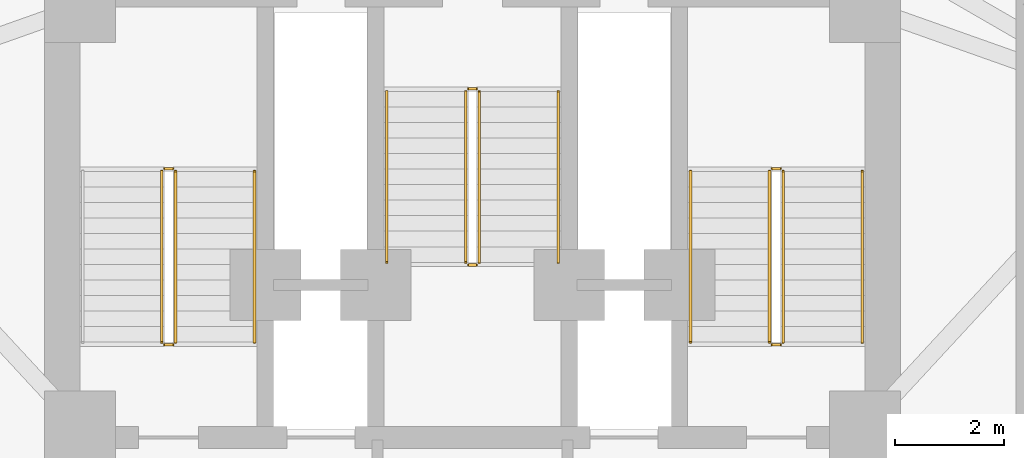
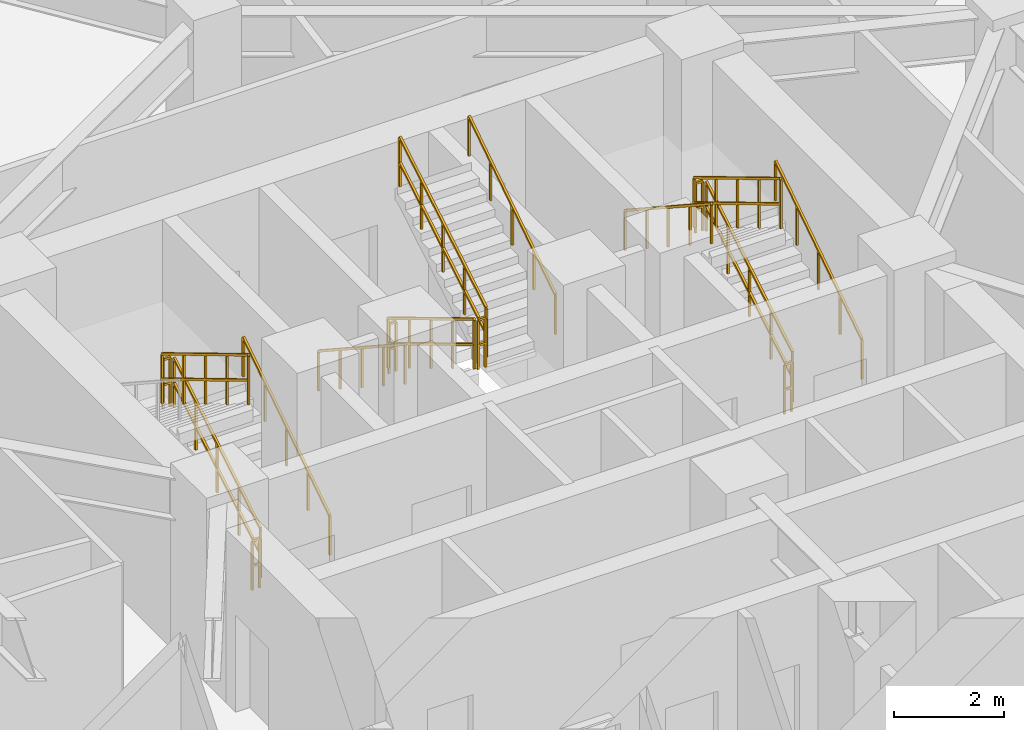
# One storey, part 9 of 10: 17 railings.
"""IFC4 building model written with IfcOpenShell, lengths in metres."""

from ifc_helpers import new_model, si_unit, direction, frame, origin, origin_2d, place, context, subcontext, project, spatial, rectangle, extrude, material, type_object, element, save


model = new_model("IFC4")

# Units and contexts
model_context = context("Model", 3, precision=1e-05, world=origin(), true_north=direction((0.0, 1.0)))
body_context = subcontext(model_context, "Body", "Model", "MODEL_VIEW")
ifc_project = project(units=[si_unit("LENGTHUNIT", "METRE"), si_unit("AREAUNIT", "SQUARE_METRE"), si_unit("VOLUMEUNIT", "CUBIC_METRE"), si_unit("PLANEANGLEUNIT", "RADIAN"), si_unit("MASSUNIT", "GRAM", prefix="KILO")], contexts=[model_context])

# Site, building, storey
site_placement = place(None, origin())
site = spatial("IfcSite", under=ifc_project, at=site_placement, CompositionType="ELEMENT")
building_placement = place(site_placement, origin())
building = spatial("IfcBuilding", under=site, at=building_placement, Name="Apsidion Concourse Tower", CompositionType="ELEMENT")
storey_placement = place(building_placement, frame((0.0, 0.0, 177.800048828125)))
storey = spatial("IfcBuildingStorey", under=building, at=storey_placement, Name="L41", CompositionType="ELEMENT", Elevation=177.800048828125)

# Railings
ifc_material = material(Name="Brushed stainless steel 316", Category="steel")
railing_type_1 = type_object("IfcRailingType", Name="RL-GUARD-1100", PredefinedType="GUARDRAIL", material=ifc_material)
railing_1_placement = place(storey_placement, frame((-5.449951171875, 3.0, 0.1708984375)))
element("IfcRailing", 1, at=railing_1_placement, inside=storey, type_object=railing_type_1, Name="L41 ST1 stair guard 1", PredefinedType="GUARDRAIL", context=body_context, shape_type="SweptSolid", body=[
    extrude(rectangle(XDim=0.048095703125, YDim=0.048095703125, at=origin_2d()), frame((0.0, 0.0, 1.09619140625), z_axis=(0.0, 0.857716804754, 0.514122439544), x_axis=(-1.0, 0.0, 0.0)), (0.0, 0.0, 1.0), 3.655029296875),
    extrude(rectangle(XDim=0.048095703125, YDim=0.048095703125, at=origin_2d()), frame((0.0, 0.0, 0.5361328125), z_axis=(0.0, 0.857716804754, 0.514122439544), x_axis=(-1.0, 0.0, 0.0)), (0.0, 0.0, 1.0), 3.655029296875),
    extrude(rectangle(XDim=0.0419921875, YDim=0.0419921875, at=origin_2d()), origin(), (0.0, 0.0, 1.0), 1.072021484375),
    extrude(rectangle(XDim=0.0419921875, YDim=0.0419921875, at=origin_2d()), frame((0.0, 0.78369140625, 0.4697265625)), (0.0, 0.0, 1.0), 1.072021484375),
    extrude(rectangle(XDim=0.0419921875, YDim=0.0419921875, at=origin_2d()), frame((0.0, 1.5673828125, 0.939453125)), (0.0, 0.0, 1.0), 1.072021484375),
    extrude(rectangle(XDim=0.0419921875, YDim=0.0419921875, at=origin_2d()), frame((0.0, 2.351318359375, 1.409423828125)), (0.0, 0.0, 1.0), 1.072021484375),
    extrude(rectangle(XDim=0.0419921875, YDim=0.0419921875, at=origin_2d()), frame((0.0, 3.135009765625, 1.879150390625)), (0.0, 0.0, 1.0), 1.072021484375),
])
railing_2_placement = place(storey_placement, frame((-5.5, 6.18505859375, 2.050048828125)))
element("IfcRailing", 2, at=railing_2_placement, inside=storey, type_object=railing_type_1, Name="L41 ST1 stair guard 2", PredefinedType="GUARDRAIL", context=body_context, shape_type="SweptSolid", body=[
    extrude(rectangle(XDim=0.048095703125, YDim=0.048095703125, at=origin_2d()), frame((0.0, 0.0, 1.09619140625), z_axis=(-1.0, 0.0, 0.0), x_axis=(0.0, -1.0, 0.0)), (0.0, 0.0, 1.0), 0.14990234375),
    extrude(rectangle(XDim=0.048095703125, YDim=0.048095703125, at=origin_2d()), frame((0.0, 0.0, 0.5361328125), z_axis=(-1.0, 0.0, 0.0), x_axis=(0.0, -1.0, 0.0)), (0.0, 0.0, 1.0), 0.14990234375),
    extrude(rectangle(XDim=0.0419921875, YDim=0.0419921875, at=origin_2d()), origin(), (0.0, 0.0, 1.0), 1.072021484375),
    extrude(rectangle(XDim=0.0419921875, YDim=0.0419921875, at=origin_2d()), frame((-0.14990234375, 0.0, 0.0)), (0.0, 0.0, 1.0), 1.072021484375),
])
railing_3_placement = place(storey_placement, frame((-5.699951171875, 6.135009765625, 2.220703125)))
element("IfcRailing", 3, at=railing_3_placement, inside=storey, type_object=railing_type_1, Name="L41 ST1 stair guard 3", PredefinedType="GUARDRAIL", context=body_context, shape_type="SweptSolid", body=[
    extrude(rectangle(XDim=0.048095703125, YDim=0.048095703125, at=origin_2d()), frame((0.0, 0.0, 1.09619140625), z_axis=(0.0, -0.857716804754, 0.514122439544), x_axis=(1.0, 0.0, 0.0)), (0.0, 0.0, 1.0), 3.655029296875),
    extrude(rectangle(XDim=0.048095703125, YDim=0.048095703125, at=origin_2d()), frame((0.0, 0.0, 0.5361328125), z_axis=(0.0, -0.857716804754, 0.514122439544), x_axis=(1.0, 0.0, 0.0)), (0.0, 0.0, 1.0), 3.655029296875),
    extrude(rectangle(XDim=0.0419921875, YDim=0.0419921875, at=origin_2d()), origin(), (0.0, 0.0, 1.0), 1.072021484375),
    extrude(rectangle(XDim=0.0419921875, YDim=0.0419921875, at=origin_2d()), frame((0.0, -0.78369140625, 0.4697265625)), (0.0, 0.0, 1.0), 1.072021484375),
    extrude(rectangle(XDim=0.0419921875, YDim=0.0419921875, at=origin_2d()), frame((0.0, -1.5673828125, 0.939453125)), (0.0, 0.0, 1.0), 1.072021484375),
    extrude(rectangle(XDim=0.0419921875, YDim=0.0419921875, at=origin_2d()), frame((0.0, -2.351318359375, 1.409423828125)), (0.0, 0.0, 1.0), 1.072021484375),
    extrude(rectangle(XDim=0.0419921875, YDim=0.0419921875, at=origin_2d()), frame((0.0, -3.135009765625, 1.879150390625)), (0.0, 0.0, 1.0), 1.072021484375),
])
railing_4_placement = place(storey_placement, frame((-5.5, 2.949951171875, 0.0)))
element("IfcRailing", 4, at=railing_4_placement, inside=storey, type_object=railing_type_1, Name="L41 ST1 stair guard 4", PredefinedType="GUARDRAIL", context=body_context, shape_type="SweptSolid", body=[
    extrude(rectangle(XDim=0.048095703125, YDim=0.048095703125, at=origin_2d()), frame((0.0, 0.0, 1.09619140625), z_axis=(-1.0, 0.0, 0.0), x_axis=(0.0, -1.0, 0.0)), (0.0, 0.0, 1.0), 0.14990234375),
    extrude(rectangle(XDim=0.048095703125, YDim=0.048095703125, at=origin_2d()), frame((0.0, 0.0, 0.5361328125), z_axis=(-1.0, 0.0, 0.0), x_axis=(0.0, -1.0, 0.0)), (0.0, 0.0, 1.0), 0.14990234375),
    extrude(rectangle(XDim=0.0419921875, YDim=0.0419921875, at=origin_2d()), origin(), (0.0, 0.0, 1.0), 1.072021484375),
    extrude(rectangle(XDim=0.0419921875, YDim=0.0419921875, at=origin_2d()), frame((-0.14990234375, 0.0, 0.0)), (0.0, 0.0, 1.0), 1.072021484375),
])
railing_5_placement = place(storey_placement, frame((5.699951171875, 3.0, 0.1708984375)))
element("IfcRailing", 5, at=railing_5_placement, inside=storey, type_object=railing_type_1, Name="L41 ST2 stair guard 1", PredefinedType="GUARDRAIL", context=body_context, shape_type="SweptSolid", body=[
    extrude(rectangle(XDim=0.048095703125, YDim=0.048095703125, at=origin_2d()), frame((0.0, 0.0, 1.09619140625), z_axis=(0.0, 0.857716804754, 0.514122439544), x_axis=(-1.0, 0.0, 0.0)), (0.0, 0.0, 1.0), 3.655029296875),
    extrude(rectangle(XDim=0.048095703125, YDim=0.048095703125, at=origin_2d()), frame((0.0, 0.0, 0.5361328125), z_axis=(0.0, 0.857716804754, 0.514122439544), x_axis=(-1.0, 0.0, 0.0)), (0.0, 0.0, 1.0), 3.655029296875),
    extrude(rectangle(XDim=0.0419921875, YDim=0.0419921875, at=origin_2d()), origin(), (0.0, 0.0, 1.0), 1.072021484375),
    extrude(rectangle(XDim=0.0419921875, YDim=0.0419921875, at=origin_2d()), frame((0.0, 0.78369140625, 0.4697265625)), (0.0, 0.0, 1.0), 1.072021484375),
    extrude(rectangle(XDim=0.0419921875, YDim=0.0419921875, at=origin_2d()), frame((0.0, 1.5673828125, 0.939453125)), (0.0, 0.0, 1.0), 1.072021484375),
    extrude(rectangle(XDim=0.0419921875, YDim=0.0419921875, at=origin_2d()), frame((0.0, 2.351318359375, 1.409423828125)), (0.0, 0.0, 1.0), 1.072021484375),
    extrude(rectangle(XDim=0.0419921875, YDim=0.0419921875, at=origin_2d()), frame((0.0, 3.135009765625, 1.879150390625)), (0.0, 0.0, 1.0), 1.072021484375),
])
railing_6_placement = place(storey_placement, frame((5.64990234375, 6.18505859375, 2.050048828125)))
element("IfcRailing", 6, at=railing_6_placement, inside=storey, type_object=railing_type_1, Name="L41 ST2 stair guard 2", PredefinedType="GUARDRAIL", context=body_context, shape_type="SweptSolid", body=[
    extrude(rectangle(XDim=0.048095703125, YDim=0.048095703125, at=origin_2d()), frame((0.0, 0.0, 1.09619140625), z_axis=(-1.0, 0.0, 0.0), x_axis=(0.0, -1.0, 0.0)), (0.0, 0.0, 1.0), 0.14990234375),
    extrude(rectangle(XDim=0.048095703125, YDim=0.048095703125, at=origin_2d()), frame((0.0, 0.0, 0.5361328125), z_axis=(-1.0, 0.0, 0.0), x_axis=(0.0, -1.0, 0.0)), (0.0, 0.0, 1.0), 0.14990234375),
    extrude(rectangle(XDim=0.0419921875, YDim=0.0419921875, at=origin_2d()), origin(), (0.0, 0.0, 1.0), 1.072021484375),
    extrude(rectangle(XDim=0.0419921875, YDim=0.0419921875, at=origin_2d()), frame((-0.14990234375, 0.0, 0.0)), (0.0, 0.0, 1.0), 1.072021484375),
])
railing_7_placement = place(storey_placement, frame((5.449951171875, 6.135009765625, 2.220703125)))
element("IfcRailing", 7, at=railing_7_placement, inside=storey, type_object=railing_type_1, Name="L41 ST2 stair guard 3", PredefinedType="GUARDRAIL", context=body_context, shape_type="SweptSolid", body=[
    extrude(rectangle(XDim=0.048095703125, YDim=0.048095703125, at=origin_2d()), frame((0.0, 0.0, 1.09619140625), z_axis=(0.0, -0.857716804754, 0.514122439544), x_axis=(1.0, 0.0, 0.0)), (0.0, 0.0, 1.0), 3.655029296875),
    extrude(rectangle(XDim=0.048095703125, YDim=0.048095703125, at=origin_2d()), frame((0.0, 0.0, 0.5361328125), z_axis=(0.0, -0.857716804754, 0.514122439544), x_axis=(1.0, 0.0, 0.0)), (0.0, 0.0, 1.0), 3.655029296875),
    extrude(rectangle(XDim=0.0419921875, YDim=0.0419921875, at=origin_2d()), origin(), (0.0, 0.0, 1.0), 1.072021484375),
    extrude(rectangle(XDim=0.0419921875, YDim=0.0419921875, at=origin_2d()), frame((0.0, -0.78369140625, 0.4697265625)), (0.0, 0.0, 1.0), 1.072021484375),
    extrude(rectangle(XDim=0.0419921875, YDim=0.0419921875, at=origin_2d()), frame((0.0, -1.5673828125, 0.939453125)), (0.0, 0.0, 1.0), 1.072021484375),
    extrude(rectangle(XDim=0.0419921875, YDim=0.0419921875, at=origin_2d()), frame((0.0, -2.351318359375, 1.409423828125)), (0.0, 0.0, 1.0), 1.072021484375),
    extrude(rectangle(XDim=0.0419921875, YDim=0.0419921875, at=origin_2d()), frame((0.0, -3.135009765625, 1.879150390625)), (0.0, 0.0, 1.0), 1.072021484375),
])
railing_8_placement = place(storey_placement, frame((5.64990234375, 2.949951171875, 0.0)))
element("IfcRailing", 8, at=railing_8_placement, inside=storey, type_object=railing_type_1, Name="L41 ST2 stair guard 4", PredefinedType="GUARDRAIL", context=body_context, shape_type="SweptSolid", body=[
    extrude(rectangle(XDim=0.048095703125, YDim=0.048095703125, at=origin_2d()), frame((0.0, 0.0, 1.09619140625), z_axis=(-1.0, 0.0, 0.0), x_axis=(0.0, -1.0, 0.0)), (0.0, 0.0, 1.0), 0.14990234375),
    extrude(rectangle(XDim=0.048095703125, YDim=0.048095703125, at=origin_2d()), frame((0.0, 0.0, 0.5361328125), z_axis=(-1.0, 0.0, 0.0), x_axis=(0.0, -1.0, 0.0)), (0.0, 0.0, 1.0), 0.14990234375),
    extrude(rectangle(XDim=0.0419921875, YDim=0.0419921875, at=origin_2d()), origin(), (0.0, 0.0, 1.0), 1.072021484375),
    extrude(rectangle(XDim=0.0419921875, YDim=0.0419921875, at=origin_2d()), frame((-0.14990234375, 0.0, 0.0)), (0.0, 0.0, 1.0), 1.072021484375),
])
railing_9_placement = place(storey_placement, frame((-0.125, 7.60009765625, 0.1708984375)))
element("IfcRailing", 9, at=railing_9_placement, inside=storey, type_object=railing_type_1, Name="L41 ST3 stair guard 1", PredefinedType="GUARDRAIL", context=body_context, shape_type="SweptSolid", body=[
    extrude(rectangle(XDim=0.048095703125, YDim=0.048095703125, at=origin_2d()), frame((0.0, 0.0, 1.09619140625), z_axis=(0.0, -0.857716804754, 0.514122439544), x_axis=(1.0, 0.0, 0.0)), (0.0, 0.0, 1.0), 3.655029296875),
    extrude(rectangle(XDim=0.048095703125, YDim=0.048095703125, at=origin_2d()), frame((0.0, 0.0, 0.5361328125), z_axis=(0.0, -0.857716804754, 0.514122439544), x_axis=(1.0, 0.0, 0.0)), (0.0, 0.0, 1.0), 3.655029296875),
    extrude(rectangle(XDim=0.0419921875, YDim=0.0419921875, at=origin_2d()), origin(), (0.0, 0.0, 1.0), 1.072021484375),
    extrude(rectangle(XDim=0.0419921875, YDim=0.0419921875, at=origin_2d()), frame((0.0, -0.78369140625, 0.4697265625)), (0.0, 0.0, 1.0), 1.072021484375),
    extrude(rectangle(XDim=0.0419921875, YDim=0.0419921875, at=origin_2d()), frame((0.0, -1.5673828125, 0.939453125)), (0.0, 0.0, 1.0), 1.072021484375),
    extrude(rectangle(XDim=0.0419921875, YDim=0.0419921875, at=origin_2d()), frame((0.0, -2.351318359375, 1.409423828125)), (0.0, 0.0, 1.0), 1.072021484375),
    extrude(rectangle(XDim=0.0419921875, YDim=0.0419921875, at=origin_2d()), frame((0.0, -3.135009765625, 1.879150390625)), (0.0, 0.0, 1.0), 1.072021484375),
])
railing_10_placement = place(storey_placement, frame((-0.074951171875, 4.4150390625, 2.050048828125)))
element("IfcRailing", 10, at=railing_10_placement, inside=storey, type_object=railing_type_1, Name="L41 ST3 stair guard 2", PredefinedType="GUARDRAIL", context=body_context, shape_type="SweptSolid", body=[
    extrude(rectangle(XDim=0.048095703125, YDim=0.048095703125, at=origin_2d()), frame((0.0, 0.0, 1.09619140625), z_axis=(1.0, 0.0, 0.0), x_axis=(0.0, 1.0, 0.0)), (0.0, 0.0, 1.0), 0.14990234375),
    extrude(rectangle(XDim=0.048095703125, YDim=0.048095703125, at=origin_2d()), frame((0.0, 0.0, 0.5361328125), z_axis=(1.0, 0.0, 0.0), x_axis=(0.0, 1.0, 0.0)), (0.0, 0.0, 1.0), 0.14990234375),
    extrude(rectangle(XDim=0.0419921875, YDim=0.0419921875, at=origin_2d()), origin(), (0.0, 0.0, 1.0), 1.072021484375),
    extrude(rectangle(XDim=0.0419921875, YDim=0.0419921875, at=origin_2d()), frame((0.14990234375, 0.0, 0.0)), (0.0, 0.0, 1.0), 1.072021484375),
])
railing_11_placement = place(storey_placement, frame((0.125, 4.465087890625, 2.220703125)))
element("IfcRailing", 11, at=railing_11_placement, inside=storey, type_object=railing_type_1, Name="L41 ST3 stair guard 3", PredefinedType="GUARDRAIL", context=body_context, shape_type="SweptSolid", body=[
    extrude(rectangle(XDim=0.048095703125, YDim=0.048095703125, at=origin_2d()), frame((0.0, 0.0, 1.09619140625), z_axis=(0.0, 0.857716804754, 0.514122439544), x_axis=(-1.0, 0.0, 0.0)), (0.0, 0.0, 1.0), 3.655029296875),
    extrude(rectangle(XDim=0.048095703125, YDim=0.048095703125, at=origin_2d()), frame((0.0, 0.0, 0.5361328125), z_axis=(0.0, 0.857716804754, 0.514122439544), x_axis=(-1.0, 0.0, 0.0)), (0.0, 0.0, 1.0), 3.655029296875),
    extrude(rectangle(XDim=0.0419921875, YDim=0.0419921875, at=origin_2d()), origin(), (0.0, 0.0, 1.0), 1.072021484375),
    extrude(rectangle(XDim=0.0419921875, YDim=0.0419921875, at=origin_2d()), frame((0.0, 0.78369140625, 0.4697265625)), (0.0, 0.0, 1.0), 1.072021484375),
    extrude(rectangle(XDim=0.0419921875, YDim=0.0419921875, at=origin_2d()), frame((0.0, 1.5673828125, 0.939453125)), (0.0, 0.0, 1.0), 1.072021484375),
    extrude(rectangle(XDim=0.0419921875, YDim=0.0419921875, at=origin_2d()), frame((0.0, 2.351318359375, 1.409423828125)), (0.0, 0.0, 1.0), 1.072021484375),
    extrude(rectangle(XDim=0.0419921875, YDim=0.0419921875, at=origin_2d()), frame((0.0, 3.135009765625, 1.879150390625)), (0.0, 0.0, 1.0), 1.072021484375),
])
railing_12_placement = place(storey_placement, frame((-0.074951171875, 7.64990234375, 0.0)))
element("IfcRailing", 12, at=railing_12_placement, inside=storey, type_object=railing_type_1, Name="L41 ST3 stair guard 4", PredefinedType="GUARDRAIL", context=body_context, shape_type="SweptSolid", body=[
    extrude(rectangle(XDim=0.048095703125, YDim=0.048095703125, at=origin_2d()), frame((0.0, 0.0, 1.09619140625), z_axis=(1.0, 0.0, 0.0), x_axis=(0.0, 1.0, 0.0)), (0.0, 0.0, 1.0), 0.14990234375),
    extrude(rectangle(XDim=0.048095703125, YDim=0.048095703125, at=origin_2d()), frame((0.0, 0.0, 0.5361328125), z_axis=(1.0, 0.0, 0.0), x_axis=(0.0, 1.0, 0.0)), (0.0, 0.0, 1.0), 0.14990234375),
    extrude(rectangle(XDim=0.0419921875, YDim=0.0419921875, at=origin_2d()), origin(), (0.0, 0.0, 1.0), 1.072021484375),
    extrude(rectangle(XDim=0.0419921875, YDim=0.0419921875, at=origin_2d()), frame((0.14990234375, 0.0, 0.0)), (0.0, 0.0, 1.0), 1.072021484375),
])
railing_type_2 = type_object("IfcRailingType", Name="RL-HAND-900", PredefinedType="HANDRAIL", material=ifc_material)
for number, where, name in (
    (13, (-4.0, 3.0, 0.1708984375), "L41 ST1 stair handrail 1"),
    (14, (7.14990234375, 3.0, 0.1708984375), "L41 ST2 stair handrail 1"),
):
    element("IfcRailing", number, at=place(storey_placement, frame(where)), inside=storey, type_object=railing_type_2, Name=name, PredefinedType="HANDRAIL", context=body_context, shape_type="SweptSolid", body=[
        extrude(rectangle(XDim=0.048095703125, YDim=0.048095703125, at=origin_2d()), frame((0.0, 0.0, 0.8759765625), z_axis=(0.0, 0.836970762213, 0.547247606848), x_axis=(-1.0, 0.0, 0.0)), (0.0, 0.0, 1.0), 3.74560546875),
        extrude(rectangle(XDim=0.0419921875, YDim=0.0419921875, at=origin_2d()), origin(), (0.0, 0.0, 1.0), 0.851806640625),
        extrude(rectangle(XDim=0.0419921875, YDim=0.0419921875, at=origin_2d()), frame((0.0, 0.78369140625, 0.512451171875)), (0.0, 0.0, 1.0), 0.851806640625),
        extrude(rectangle(XDim=0.0419921875, YDim=0.0419921875, at=origin_2d()), frame((0.0, 1.5673828125, 1.02490234375)), (0.0, 0.0, 1.0), 0.851806640625),
        extrude(rectangle(XDim=0.0419921875, YDim=0.0419921875, at=origin_2d()), frame((0.0, 2.351318359375, 1.537353515625)), (0.0, 0.0, 1.0), 0.851806640625),
        extrude(rectangle(XDim=0.0419921875, YDim=0.0419921875, at=origin_2d()), frame((0.0, 3.135009765625, 2.0498046875)), (0.0, 0.0, 1.0), 0.851806640625),
    ])
railing_13_placement = place(storey_placement, frame((4.0, 6.135009765625, 2.220703125)))
element("IfcRailing", 15, at=railing_13_placement, inside=storey, type_object=railing_type_2, Name="L41 ST2 stair handrail 2", PredefinedType="HANDRAIL", context=body_context, shape_type="SweptSolid", body=[
    extrude(rectangle(XDim=0.048095703125, YDim=0.048095703125, at=origin_2d()), frame((0.0, 0.0, 0.8759765625), z_axis=(0.0, -0.836940907821, 0.547293263996), x_axis=(1.0, 0.0, 0.0)), (0.0, 0.0, 1.0), 3.745849609375),
    extrude(rectangle(XDim=0.0419921875, YDim=0.0419921875, at=origin_2d()), origin(), (0.0, 0.0, 1.0), 0.851806640625),
    extrude(rectangle(XDim=0.0419921875, YDim=0.0419921875, at=origin_2d()), frame((0.0, -0.78369140625, 0.512451171875)), (0.0, 0.0, 1.0), 0.851806640625),
    extrude(rectangle(XDim=0.0419921875, YDim=0.0419921875, at=origin_2d()), frame((0.0, -1.5673828125, 1.02490234375)), (0.0, 0.0, 1.0), 0.851806640625),
    extrude(rectangle(XDim=0.0419921875, YDim=0.0419921875, at=origin_2d()), frame((0.0, -2.351318359375, 1.53759765625)), (0.0, 0.0, 1.0), 0.851806640625),
    extrude(rectangle(XDim=0.0419921875, YDim=0.0419921875, at=origin_2d()), frame((0.0, -3.135009765625, 2.050048828125)), (0.0, 0.0, 1.0), 0.851806640625),
])
railing_14_placement = place(storey_placement, frame((-1.574951171875, 7.60009765625, 0.1708984375)))
element("IfcRailing", 16, at=railing_14_placement, inside=storey, type_object=railing_type_2, Name="L41 ST3 stair handrail 1", PredefinedType="HANDRAIL", context=body_context, shape_type="SweptSolid", body=[
    extrude(rectangle(XDim=0.048095703125, YDim=0.048095703125, at=origin_2d()), frame((0.0, 0.0, 0.8759765625), z_axis=(0.0, -0.836970762213, 0.547247606848), x_axis=(1.0, 0.0, 0.0)), (0.0, 0.0, 1.0), 3.74560546875),
    extrude(rectangle(XDim=0.0419921875, YDim=0.0419921875, at=origin_2d()), origin(), (0.0, 0.0, 1.0), 0.851806640625),
    extrude(rectangle(XDim=0.0419921875, YDim=0.0419921875, at=origin_2d()), frame((0.0, -0.78369140625, 0.512451171875)), (0.0, 0.0, 1.0), 0.851806640625),
    extrude(rectangle(XDim=0.0419921875, YDim=0.0419921875, at=origin_2d()), frame((0.0, -1.5673828125, 1.02490234375)), (0.0, 0.0, 1.0), 0.851806640625),
    extrude(rectangle(XDim=0.0419921875, YDim=0.0419921875, at=origin_2d()), frame((0.0, -2.351318359375, 1.537353515625)), (0.0, 0.0, 1.0), 0.851806640625),
    extrude(rectangle(XDim=0.0419921875, YDim=0.0419921875, at=origin_2d()), frame((0.0, -3.135009765625, 2.0498046875)), (0.0, 0.0, 1.0), 0.851806640625),
])
railing_15_placement = place(storey_placement, frame((1.574951171875, 4.465087890625, 2.220703125)))
element("IfcRailing", 17, at=railing_15_placement, inside=storey, type_object=railing_type_2, Name="L41 ST3 stair handrail 2", PredefinedType="HANDRAIL", context=body_context, shape_type="SweptSolid", body=[
    extrude(rectangle(XDim=0.048095703125, YDim=0.048095703125, at=origin_2d()), frame((0.0, 0.0, 0.8759765625), z_axis=(0.0, 0.836940907821, 0.547293263996), x_axis=(-1.0, 0.0, 0.0)), (0.0, 0.0, 1.0), 3.745849609375),
    extrude(rectangle(XDim=0.0419921875, YDim=0.0419921875, at=origin_2d()), origin(), (0.0, 0.0, 1.0), 0.851806640625),
    extrude(rectangle(XDim=0.0419921875, YDim=0.0419921875, at=origin_2d()), frame((0.0, 0.78369140625, 0.512451171875)), (0.0, 0.0, 1.0), 0.851806640625),
    extrude(rectangle(XDim=0.0419921875, YDim=0.0419921875, at=origin_2d()), frame((0.0, 1.5673828125, 1.02490234375)), (0.0, 0.0, 1.0), 0.851806640625),
    extrude(rectangle(XDim=0.0419921875, YDim=0.0419921875, at=origin_2d()), frame((0.0, 2.351318359375, 1.53759765625)), (0.0, 0.0, 1.0), 0.851806640625),
    extrude(rectangle(XDim=0.0419921875, YDim=0.0419921875, at=origin_2d()), frame((0.0, 3.135009765625, 2.050048828125)), (0.0, 0.0, 1.0), 0.851806640625),
])

save(model, "model.ifc")
